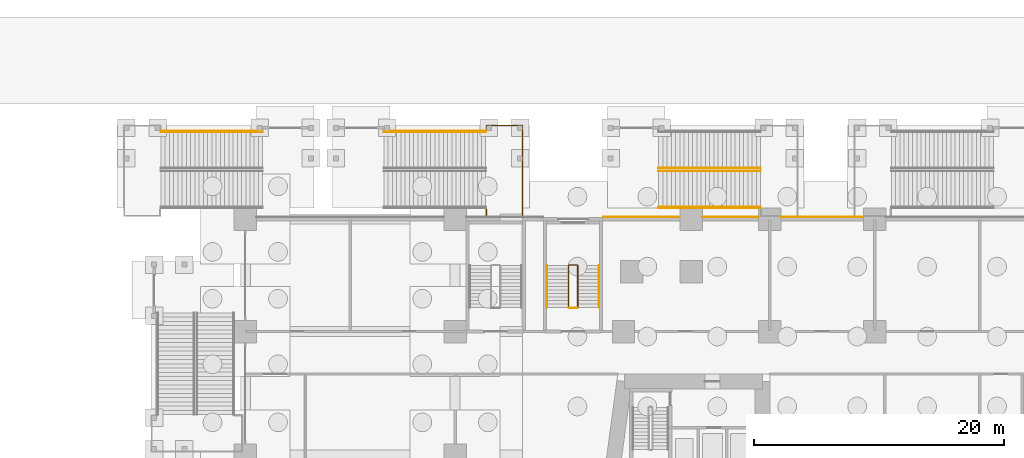
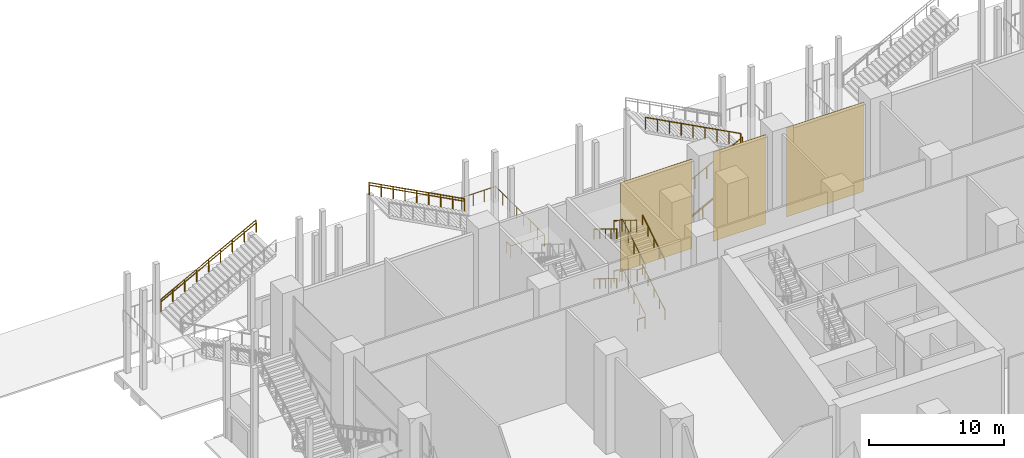
# One storey, part 68 of 72: 17 railings, 3 coverings.
"""IFC4 building model written with IfcOpenShell, lengths in metres."""

from ifc_helpers import new_model, si_unit, direction, frame, origin, origin_2d, place, context, subcontext, project, spatial, rectangle, circle, extrude, material, layer, layer_set, type_object, element, save


model = new_model("IFC4")

# Units and contexts
model_context = context("Model", 3, precision=1e-05, world=origin(), true_north=direction((0.0, 1.0)))
body_context = subcontext(model_context, "Body", "Model", "MODEL_VIEW")
ifc_project = project(units=[si_unit("LENGTHUNIT", "METRE"), si_unit("AREAUNIT", "SQUARE_METRE"), si_unit("VOLUMEUNIT", "CUBIC_METRE"), si_unit("PLANEANGLEUNIT", "RADIAN"), si_unit("MASSUNIT", "GRAM", prefix="KILO")], contexts=[model_context])

# Site, building, storey
site_placement = place(None, origin())
site = spatial("IfcSite", under=ifc_project, at=site_placement, CompositionType="ELEMENT")
building_placement = place(site_placement, origin())
building = spatial("IfcBuilding", under=site, at=building_placement, Name="Candeia Pilgrim Tower and Theatre", CompositionType="ELEMENT")
storey_placement = place(building_placement, origin())
storey = spatial("IfcBuildingStorey", under=building, at=storey_placement, Name="L00", CompositionType="ELEMENT", Elevation=0.0)

# Coverings
ifc_material_1 = material(Name="Glazed ceramic mosaic multi-colour")
ifc_layer = layer(ifc_material_1, 0.02490234375)
ifc_layer_set = layer_set([ifc_layer], Name="MS1 glazed ceramic mosaic")
covering_type = type_object("IfcCoveringType", Name="MS1 glazed ceramic mosaic", PredefinedType="CLADDING", material=ifc_layer_set)
covering_1_placement = place(storey_placement, frame((90.52490234375, 144.96240234375, 0.0), z_axis=(0.0, 0.0, 1.0), x_axis=(1.0, 0.0, 0.0)))
element("IfcCovering", 1, at=covering_1_placement, inside=storey, type_object=covering_type, Name="Mosaic panel", PredefinedType="CLADDING", context=body_context, shape_type="SweptSolid", body=[
    extrude(rectangle(XDim=6.14990234375, YDim=0.02490234375, at=origin_2d()), origin(), (0.0, 0.0, 1.0), 8.10009765625),
])
covering_2_placement = place(storey_placement, frame((97.64990234375, 144.96240234375, 0.0), z_axis=(0.0, 0.0, 1.0), x_axis=(1.0, 0.0, 0.0)))
element("IfcCovering", 2, at=covering_2_placement, inside=storey, type_object=covering_type, Name="Mosaic panel", PredefinedType="CLADDING", context=body_context, shape_type="SweptSolid", body=[
    extrude(rectangle(XDim=4.5, YDim=0.02490234375, at=origin_2d()), origin(), (0.0, 0.0, 1.0), 8.10009765625),
])
covering_3_placement = place(storey_placement, frame((105.0, 144.96240234375, 0.0), z_axis=(0.0, 0.0, 1.0), x_axis=(1.0, 0.0, 0.0)))
element("IfcCovering", 3, at=covering_3_placement, inside=storey, type_object=covering_type, Name="Mosaic panel", PredefinedType="CLADDING", context=body_context, shape_type="SweptSolid", body=[
    extrude(rectangle(XDim=6.60009765625, YDim=0.02490234375, at=origin_2d()), origin(), (0.0, 0.0, 1.0), 8.10009765625),
])

# Railings
ifc_material_2 = material(Name="Stainless steel balustrade", Category="steel")
railing_type_1 = type_object("IfcRailingType", Name="RL-GUARD-1100", PredefinedType="GUARDRAIL", material=ifc_material_2)
railing_1_placement = place(storey_placement, frame((85.425048828125, 137.72509765625, 0.173095703125)))
element("IfcRailing", 4, at=railing_1_placement, inside=storey, type_object=railing_type_1, Name="L00 PS2 stair guard 1", PredefinedType="GUARDRAIL", context=body_context, shape_type="SweptSolid", body=[
    extrude(circle(Radius=0.02392578125, at=origin_2d()), frame((0.0, 0.0, 1.076171875), z_axis=(0.0, 0.850606129759, 0.525803396734), x_axis=(-1.0, 0.0, 0.0)), (0.0, 0.0, 1.0), 3.949951171875),
    extrude(circle(Radius=0.02392578125, at=origin_2d()), frame((0.0, 3.35986328125, 3.15283203125), z_axis=(-0.707106781187, 0.707106781187, 0.0), x_axis=(-0.707106781187, -0.707106781187, 0.0)), (0.0, 0.0, 1.0), 0.07080078125),
    extrude(circle(Radius=0.02392578125, at=origin_2d()), frame((-0.050048828125, 3.409912109375, 3.15283203125), z_axis=(-1.0, 0.0, 0.0), x_axis=(0.0, -1.0, 0.0)), (0.0, 0.0, 1.0), 0.64990234375),
    extrude(circle(Radius=0.02392578125, at=origin_2d()), frame((-0.699951171875, 3.409912109375, 3.15283203125), z_axis=(-0.267629722418, -0.267629722418, 0.925607186314), x_axis=(0.707106781187, -0.707106781187, 0.0)), (0.0, 0.0, 1.0), 0.18701171875),
    extrude(circle(Radius=0.02392578125, at=origin_2d()), frame((-0.75, 3.35986328125, 3.326171875), z_axis=(0.0, -0.850606129759, 0.525803396734), x_axis=(1.0, 0.0, 0.0)), (0.0, 0.0, 1.0), 3.949951171875),
    extrude(circle(Radius=0.02099609375, at=origin_2d()), origin(), (0.0, 0.0, 1.0), 1.052001953125),
    extrude(circle(Radius=0.02099609375, at=origin_2d()), frame((0.0, 0.83984375, 0.519287109375)), (0.0, 0.0, 1.0), 1.052001953125),
    extrude(circle(Radius=0.02099609375, at=origin_2d()), frame((0.0, 1.679931640625, 1.03857421875)), (0.0, 0.0, 1.0), 1.052001953125),
    extrude(circle(Radius=0.02099609375, at=origin_2d()), frame((0.0, 2.52001953125, 1.5576171875)), (0.0, 0.0, 1.0), 1.052001953125),
    extrude(circle(Radius=0.02099609375, at=origin_2d()), frame((0.0, 3.35986328125, 2.076904296875)), (0.0, 0.0, 1.0), 1.052001953125),
    extrude(circle(Radius=0.02099609375, at=origin_2d()), frame((-0.050048828125, 3.409912109375, 2.076904296875)), (0.0, 0.0, 1.0), 1.052001953125),
    extrude(circle(Radius=0.02099609375, at=origin_2d()), frame((-0.699951171875, 3.409912109375, 2.076904296875)), (0.0, 0.0, 1.0), 1.052001953125),
    extrude(circle(Radius=0.02099609375, at=origin_2d()), frame((-0.75, 3.35986328125, 2.25)), (0.0, 0.0, 1.0), 1.052001953125),
    extrude(circle(Radius=0.02099609375, at=origin_2d()), frame((-0.75, 2.52001953125, 2.769287109375)), (0.0, 0.0, 1.0), 1.052001953125),
    extrude(circle(Radius=0.02099609375, at=origin_2d()), frame((-0.75, 1.679931640625, 3.28857421875)), (0.0, 0.0, 1.0), 1.052001953125),
    extrude(circle(Radius=0.02099609375, at=origin_2d()), frame((-0.75, 0.83984375, 3.8076171875)), (0.0, 0.0, 1.0), 1.052001953125),
    extrude(circle(Radius=0.02099609375, at=origin_2d()), frame((-0.75, 0.0, 4.326904296875)), (0.0, 0.0, 1.0), 1.052001953125),
])
railing_2_placement = place(storey_placement, frame((85.375, 137.675048828125, 4.5)))
element("IfcRailing", 5, at=railing_2_placement, inside=storey, type_object=railing_type_1, Name="L00 PS2 stair guard 2", PredefinedType="GUARDRAIL", context=body_context, shape_type="SweptSolid", body=[
    extrude(circle(Radius=0.02392578125, at=origin_2d()), frame((0.0, 0.0, 1.076171875), z_axis=(-1.0, 0.0, 0.0), x_axis=(0.0, -1.0, 0.0)), (0.0, 0.0, 1.0), 0.64990234375),
    extrude(circle(Radius=0.02099609375, at=origin_2d()), origin(), (0.0, 0.0, 1.0), 1.052001953125),
    extrude(circle(Radius=0.02099609375, at=origin_2d()), frame((-0.64990234375, 0.0, 0.0)), (0.0, 0.0, 1.0), 1.052001953125),
])
railing_3_placement = place(storey_placement, frame((85.425048828125, 137.72509765625, 4.673095703125)))
element("IfcRailing", 6, at=railing_3_placement, inside=storey, type_object=railing_type_1, Name="L00 PS2 stair guard 3", PredefinedType="GUARDRAIL", context=body_context, shape_type="SweptSolid", body=[
    extrude(circle(Radius=0.02392578125, at=origin_2d()), frame((0.0, 0.0, 1.076171875), z_axis=(0.0, 0.850606129759, 0.525803396734), x_axis=(-1.0, 0.0, 0.0)), (0.0, 0.0, 1.0), 3.949951171875),
    extrude(circle(Radius=0.02392578125, at=origin_2d()), frame((0.0, 3.35986328125, 3.15283203125), z_axis=(-0.707106781187, 0.707106781187, 0.0), x_axis=(-0.707106781187, -0.707106781187, 0.0)), (0.0, 0.0, 1.0), 0.07080078125),
    extrude(circle(Radius=0.02392578125, at=origin_2d()), frame((-0.050048828125, 3.409912109375, 3.15283203125), z_axis=(-1.0, 0.0, 0.0), x_axis=(0.0, -1.0, 0.0)), (0.0, 0.0, 1.0), 0.64990234375),
    extrude(circle(Radius=0.02392578125, at=origin_2d()), frame((-0.699951171875, 3.409912109375, 3.15283203125), z_axis=(-0.267629722418, -0.267629722418, 0.925607186314), x_axis=(0.707106781187, -0.707106781187, 0.0)), (0.0, 0.0, 1.0), 0.18701171875),
    extrude(circle(Radius=0.02392578125, at=origin_2d()), frame((-0.75, 3.35986328125, 3.326171875), z_axis=(0.0, -0.850606129759, 0.525803396734), x_axis=(1.0, 0.0, 0.0)), (0.0, 0.0, 1.0), 3.949951171875),
    extrude(circle(Radius=0.02099609375, at=origin_2d()), origin(), (0.0, 0.0, 1.0), 1.052001953125),
    extrude(circle(Radius=0.02099609375, at=origin_2d()), frame((0.0, 0.83984375, 0.519287109375)), (0.0, 0.0, 1.0), 1.052001953125),
    extrude(circle(Radius=0.02099609375, at=origin_2d()), frame((0.0, 1.679931640625, 1.03857421875)), (0.0, 0.0, 1.0), 1.052001953125),
    extrude(circle(Radius=0.02099609375, at=origin_2d()), frame((0.0, 2.52001953125, 1.5576171875)), (0.0, 0.0, 1.0), 1.052001953125),
    extrude(circle(Radius=0.02099609375, at=origin_2d()), frame((0.0, 3.35986328125, 2.076904296875)), (0.0, 0.0, 1.0), 1.052001953125),
    extrude(circle(Radius=0.02099609375, at=origin_2d()), frame((-0.050048828125, 3.409912109375, 2.076904296875)), (0.0, 0.0, 1.0), 1.052001953125),
    extrude(circle(Radius=0.02099609375, at=origin_2d()), frame((-0.699951171875, 3.409912109375, 2.076904296875)), (0.0, 0.0, 1.0), 1.052001953125),
    extrude(circle(Radius=0.02099609375, at=origin_2d()), frame((-0.75, 3.35986328125, 2.25)), (0.0, 0.0, 1.0), 1.052001953125),
    extrude(circle(Radius=0.02099609375, at=origin_2d()), frame((-0.75, 2.52001953125, 2.769287109375)), (0.0, 0.0, 1.0), 1.052001953125),
    extrude(circle(Radius=0.02099609375, at=origin_2d()), frame((-0.75, 1.679931640625, 3.28857421875)), (0.0, 0.0, 1.0), 1.052001953125),
    extrude(circle(Radius=0.02099609375, at=origin_2d()), frame((-0.75, 0.83984375, 3.8076171875)), (0.0, 0.0, 1.0), 1.052001953125),
    extrude(circle(Radius=0.02099609375, at=origin_2d()), frame((-0.75, 0.0, 4.326904296875)), (0.0, 0.0, 1.0), 1.052001953125),
])
railing_4_placement = place(storey_placement, frame((85.375, 137.675048828125, 0.0)))
element("IfcRailing", 7, at=railing_4_placement, inside=storey, type_object=railing_type_1, Name="L00 PS2 stair guard 4", PredefinedType="GUARDRAIL", context=body_context, shape_type="SweptSolid", body=[
    extrude(circle(Radius=0.02392578125, at=origin_2d()), frame((0.0, 0.0, 1.076171875), z_axis=(-1.0, 0.0, 0.0), x_axis=(0.0, -1.0, 0.0)), (0.0, 0.0, 1.0), 0.64990234375),
    extrude(circle(Radius=0.02099609375, at=origin_2d()), origin(), (0.0, 0.0, 1.0), 1.052001953125),
    extrude(circle(Radius=0.02099609375, at=origin_2d()), frame((-0.64990234375, 0.0, 0.0)), (0.0, 0.0, 1.0), 1.052001953125),
])
railing_5_placement = place(storey_placement, frame((52.0400390625, 151.85009765625, 4.679931640625)))
element("IfcRailing", 8, at=railing_5_placement, inside=storey, type_object=railing_type_1, Name="L00 ES3 stair guard 4", PredefinedType="GUARDRAIL", context=body_context, shape_type="SweptSolid", body=[
    extrude(circle(Radius=0.02392578125, at=origin_2d()), frame((0.0, 0.0, 1.076171875), z_axis=(0.883782770755, 0.0, 0.467897439742), x_axis=(0.0, 1.0, 0.0)), (0.0, 0.0, 1.0), 9.23291015625),
    extrude(circle(Radius=0.02099609375, at=origin_2d()), origin(), (0.0, 0.0, 1.0), 1.052001953125),
    extrude(circle(Radius=0.02099609375, at=origin_2d()), frame((1.02001953125, 0.0, 0.5400390625)), (0.0, 0.0, 1.0), 1.052001953125),
    extrude(circle(Radius=0.02099609375, at=origin_2d()), frame((2.0400390625, 0.0, 1.080078125)), (0.0, 0.0, 1.0), 1.052001953125),
    extrude(circle(Radius=0.02099609375, at=origin_2d()), frame((3.06005859375, 0.0, 1.6201171875)), (0.0, 0.0, 1.0), 1.052001953125),
    extrude(circle(Radius=0.02099609375, at=origin_2d()), frame((4.080078125, 0.0, 2.16015625)), (0.0, 0.0, 1.0), 1.052001953125),
    extrude(circle(Radius=0.02099609375, at=origin_2d()), frame((5.099853515625, 0.0, 2.699951171875)), (0.0, 0.0, 1.0), 1.052001953125),
    extrude(circle(Radius=0.02099609375, at=origin_2d()), frame((6.119873046875, 0.0, 3.239990234375)), (0.0, 0.0, 1.0), 1.052001953125),
    extrude(circle(Radius=0.02099609375, at=origin_2d()), frame((7.139892578125, 0.0, 3.780029296875)), (0.0, 0.0, 1.0), 1.052001953125),
    extrude(circle(Radius=0.02099609375, at=origin_2d()), frame((8.159912109375, 0.0, 4.320068359375)), (0.0, 0.0, 1.0), 1.052001953125),
])
railing_6_placement = place(storey_placement, frame((78.06005859375, 151.85009765625, 4.679931640625)))
element("IfcRailing", 9, at=railing_6_placement, inside=storey, type_object=railing_type_1, Name="L00 ES4 stair guard 4", PredefinedType="GUARDRAIL", context=body_context, shape_type="SweptSolid", body=[
    extrude(circle(Radius=0.02392578125, at=origin_2d()), frame((0.0, 0.0, 1.076171875), z_axis=(-0.883788559524, 0.0, 0.467886505528), x_axis=(0.0, -1.0, 0.0)), (0.0, 0.0, 1.0), 9.233154296875),
    extrude(circle(Radius=0.02099609375, at=origin_2d()), origin(), (0.0, 0.0, 1.0), 1.052001953125),
    extrude(circle(Radius=0.02099609375, at=origin_2d()), frame((-1.02001953125, 0.0, 0.5400390625)), (0.0, 0.0, 1.0), 1.052001953125),
    extrude(circle(Radius=0.02099609375, at=origin_2d()), frame((-2.0400390625, 0.0, 1.080078125)), (0.0, 0.0, 1.0), 1.052001953125),
    extrude(circle(Radius=0.02099609375, at=origin_2d()), frame((-3.06005859375, 0.0, 1.6201171875)), (0.0, 0.0, 1.0), 1.052001953125),
    extrude(circle(Radius=0.02099609375, at=origin_2d()), frame((-4.080078125, 0.0, 2.16015625)), (0.0, 0.0, 1.0), 1.052001953125),
    extrude(circle(Radius=0.02099609375, at=origin_2d()), frame((-5.10009765625, 0.0, 2.699951171875)), (0.0, 0.0, 1.0), 1.052001953125),
    extrude(circle(Radius=0.02099609375, at=origin_2d()), frame((-6.1201171875, 0.0, 3.239990234375)), (0.0, 0.0, 1.0), 1.052001953125),
    extrude(circle(Radius=0.02099609375, at=origin_2d()), frame((-7.14013671875, 0.0, 3.780029296875)), (0.0, 0.0, 1.0), 1.052001953125),
    extrude(circle(Radius=0.02099609375, at=origin_2d()), frame((-8.16015625, 0.0, 4.320068359375)), (0.0, 0.0, 1.0), 1.052001953125),
])
railing_7_placement = place(storey_placement, frame((78.110107421875, 145.699951171875, 4.5)))
element("IfcRailing", 10, at=railing_7_placement, inside=storey, type_object=railing_type_1, Name="L00 ES4 stair guard 5", PredefinedType="GUARDRAIL", context=body_context, shape_type="SweptSolid", body=[
    extrude(circle(Radius=0.02392578125, at=origin_2d()), frame((0.0, 0.0, 1.076171875), z_axis=(0.0, -1.0, 0.0), x_axis=(1.0, 0.0, 0.0)), (0.0, 0.0, 1.0), 0.64990234375),
    extrude(circle(Radius=0.02392578125, at=origin_2d()), frame((0.0, -0.64990234375, 1.076171875), z_axis=(1.0, 0.0, 0.0), x_axis=(0.0, 1.0, 0.0)), (0.0, 0.0, 1.0), 2.89990234375),
    extrude(circle(Radius=0.02392578125, at=origin_2d()), frame((2.89990234375, -0.64990234375, 1.076171875), z_axis=(0.0, 1.0, 0.0), x_axis=(-1.0, 0.0, 0.0)), (0.0, 0.0, 1.0), 7.25),
    extrude(circle(Radius=0.02392578125, at=origin_2d()), frame((2.89990234375, 6.60009765625, 1.076171875), z_axis=(-1.0, 0.0, 0.0), x_axis=(0.0, -1.0, 0.0)), (0.0, 0.0, 1.0), 2.89990234375),
    extrude(circle(Radius=0.02392578125, at=origin_2d()), frame((0.0, 6.60009765625, 1.076171875), z_axis=(0.0, -1.0, 0.0), x_axis=(1.0, 0.0, 0.0)), (0.0, 0.0, 1.0), 0.449951171875),
    extrude(circle(Radius=0.02099609375, at=origin_2d()), origin(), (0.0, 0.0, 1.0), 1.052001953125),
    extrude(circle(Radius=0.02099609375, at=origin_2d()), frame((0.0, -0.64990234375, 0.0)), (0.0, 0.0, 1.0), 1.052001953125),
    extrude(circle(Radius=0.02099609375, at=origin_2d()), frame((0.966552734375, -0.64990234375, 0.0)), (0.0, 0.0, 1.0), 1.052001953125),
    extrude(circle(Radius=0.02099609375, at=origin_2d()), frame((1.933349609375, -0.64990234375, 0.0)), (0.0, 0.0, 1.0), 1.052001953125),
    extrude(circle(Radius=0.02099609375, at=origin_2d()), frame((2.89990234375, -0.64990234375, 0.0)), (0.0, 0.0, 1.0), 1.052001953125),
    extrude(circle(Radius=0.02099609375, at=origin_2d()), frame((2.89990234375, 0.3857421875, 0.0)), (0.0, 0.0, 1.0), 1.052001953125),
    extrude(circle(Radius=0.02099609375, at=origin_2d()), frame((2.89990234375, 1.421630859375, 0.0)), (0.0, 0.0, 1.0), 1.052001953125),
    extrude(circle(Radius=0.02099609375, at=origin_2d()), frame((2.89990234375, 2.457275390625, 0.0)), (0.0, 0.0, 1.0), 1.052001953125),
    extrude(circle(Radius=0.02099609375, at=origin_2d()), frame((2.89990234375, 3.492919921875, 0.0)), (0.0, 0.0, 1.0), 1.052001953125),
    extrude(circle(Radius=0.02099609375, at=origin_2d()), frame((2.89990234375, 4.528564453125, 0.0)), (0.0, 0.0, 1.0), 1.052001953125),
    extrude(circle(Radius=0.02099609375, at=origin_2d()), frame((2.89990234375, 5.564453125, 0.0)), (0.0, 0.0, 1.0), 1.052001953125),
    extrude(circle(Radius=0.02099609375, at=origin_2d()), frame((2.89990234375, 6.60009765625, 0.0)), (0.0, 0.0, 1.0), 1.052001953125),
    extrude(circle(Radius=0.02099609375, at=origin_2d()), frame((1.933349609375, 6.60009765625, 0.0)), (0.0, 0.0, 1.0), 1.052001953125),
    extrude(circle(Radius=0.02099609375, at=origin_2d()), frame((0.966552734375, 6.60009765625, 0.0)), (0.0, 0.0, 1.0), 1.052001953125),
    extrude(circle(Radius=0.02099609375, at=origin_2d()), frame((0.0, 6.60009765625, 0.0)), (0.0, 0.0, 1.0), 1.052001953125),
    extrude(circle(Radius=0.02099609375, at=origin_2d()), frame((0.0, 6.150146484375, 0.0)), (0.0, 0.0, 1.0), 1.052001953125),
])
railing_8_placement = place(storey_placement, frame((91.89990234375, 148.64990234375, 0.179931640625)))
element("IfcRailing", 11, at=railing_8_placement, inside=storey, type_object=railing_type_1, Name="L00 ES5 stair guard 1", PredefinedType="GUARDRAIL", context=body_context, shape_type="SweptSolid", body=[
    extrude(circle(Radius=0.02392578125, at=origin_2d()), frame((0.0, 0.0, 1.076171875), z_axis=(0.883788559524, 0.0, 0.467886505528), x_axis=(0.0, 1.0, 0.0)), (0.0, 0.0, 1.0), 9.233154296875),
    extrude(circle(Radius=0.02099609375, at=origin_2d()), origin(), (0.0, 0.0, 1.0), 1.052001953125),
    extrude(circle(Radius=0.02099609375, at=origin_2d()), frame((1.02001953125, 0.0, 0.5400390625)), (0.0, 0.0, 1.0), 1.052001953125),
    extrude(circle(Radius=0.02099609375, at=origin_2d()), frame((2.0400390625, 0.0, 1.080078125)), (0.0, 0.0, 1.0), 1.052001953125),
    extrude(circle(Radius=0.02099609375, at=origin_2d()), frame((3.06005859375, 0.0, 1.6201171875)), (0.0, 0.0, 1.0), 1.052001953125),
    extrude(circle(Radius=0.02099609375, at=origin_2d()), frame((4.080078125, 0.0, 2.16015625)), (0.0, 0.0, 1.0), 1.052001953125),
    extrude(circle(Radius=0.02099609375, at=origin_2d()), frame((5.10009765625, 0.0, 2.699951171875)), (0.0, 0.0, 1.0), 1.052001953125),
    extrude(circle(Radius=0.02099609375, at=origin_2d()), frame((6.1201171875, 0.0, 3.239990234375)), (0.0, 0.0, 1.0), 1.052001953125),
    extrude(circle(Radius=0.02099609375, at=origin_2d()), frame((7.14013671875, 0.0, 3.780029296875)), (0.0, 0.0, 1.0), 1.052001953125),
    extrude(circle(Radius=0.02099609375, at=origin_2d()), frame((8.16015625, 0.0, 4.320068359375)), (0.0, 0.0, 1.0), 1.052001953125),
])
railing_9_placement = place(storey_placement, frame((100.06005859375, 148.89990234375, 4.679931640625)))
element("IfcRailing", 12, at=railing_9_placement, inside=storey, type_object=railing_type_1, Name="L00 ES5 stair guard 2", PredefinedType="GUARDRAIL", context=body_context, shape_type="SweptSolid", body=[
    extrude(circle(Radius=0.02392578125, at=origin_2d()), frame((0.0, 0.0, 1.076171875), z_axis=(-0.883788559524, 0.0, 0.467886505528), x_axis=(0.0, -1.0, 0.0)), (0.0, 0.0, 1.0), 9.233154296875),
    extrude(circle(Radius=0.02099609375, at=origin_2d()), origin(), (0.0, 0.0, 1.0), 1.052001953125),
    extrude(circle(Radius=0.02099609375, at=origin_2d()), frame((-1.02001953125, 0.0, 0.5400390625)), (0.0, 0.0, 1.0), 1.052001953125),
    extrude(circle(Radius=0.02099609375, at=origin_2d()), frame((-2.0400390625, 0.0, 1.080078125)), (0.0, 0.0, 1.0), 1.052001953125),
    extrude(circle(Radius=0.02099609375, at=origin_2d()), frame((-3.06005859375, 0.0, 1.6201171875)), (0.0, 0.0, 1.0), 1.052001953125),
    extrude(circle(Radius=0.02099609375, at=origin_2d()), frame((-4.080078125, 0.0, 2.16015625)), (0.0, 0.0, 1.0), 1.052001953125),
    extrude(circle(Radius=0.02099609375, at=origin_2d()), frame((-5.10009765625, 0.0, 2.699951171875)), (0.0, 0.0, 1.0), 1.052001953125),
    extrude(circle(Radius=0.02099609375, at=origin_2d()), frame((-6.1201171875, 0.0, 3.239990234375)), (0.0, 0.0, 1.0), 1.052001953125),
    extrude(circle(Radius=0.02099609375, at=origin_2d()), frame((-7.14013671875, 0.0, 3.780029296875)), (0.0, 0.0, 1.0), 1.052001953125),
    extrude(circle(Radius=0.02099609375, at=origin_2d()), frame((-8.16015625, 0.0, 4.320068359375)), (0.0, 0.0, 1.0), 1.052001953125),
])
railing_10_placement = place(storey_placement, frame((91.89990234375, 145.699951171875, 0.179931640625)))
element("IfcRailing", 13, at=railing_10_placement, inside=storey, type_object=railing_type_1, Name="L00 ES5 stair guard 3", PredefinedType="GUARDRAIL", context=body_context, shape_type="SweptSolid", body=[
    extrude(circle(Radius=0.02392578125, at=origin_2d()), frame((0.0, 0.0, 1.076171875), z_axis=(0.883788559524, 0.0, 0.467886505528), x_axis=(0.0, 1.0, 0.0)), (0.0, 0.0, 1.0), 9.233154296875),
    extrude(circle(Radius=0.02099609375, at=origin_2d()), origin(), (0.0, 0.0, 1.0), 1.052001953125),
    extrude(circle(Radius=0.02099609375, at=origin_2d()), frame((1.02001953125, 0.0, 0.5400390625)), (0.0, 0.0, 1.0), 1.052001953125),
    extrude(circle(Radius=0.02099609375, at=origin_2d()), frame((2.0400390625, 0.0, 1.080078125)), (0.0, 0.0, 1.0), 1.052001953125),
    extrude(circle(Radius=0.02099609375, at=origin_2d()), frame((3.06005859375, 0.0, 1.6201171875)), (0.0, 0.0, 1.0), 1.052001953125),
    extrude(circle(Radius=0.02099609375, at=origin_2d()), frame((4.080078125, 0.0, 2.16015625)), (0.0, 0.0, 1.0), 1.052001953125),
    extrude(circle(Radius=0.02099609375, at=origin_2d()), frame((5.10009765625, 0.0, 2.699951171875)), (0.0, 0.0, 1.0), 1.052001953125),
    extrude(circle(Radius=0.02099609375, at=origin_2d()), frame((6.1201171875, 0.0, 3.239990234375)), (0.0, 0.0, 1.0), 1.052001953125),
    extrude(circle(Radius=0.02099609375, at=origin_2d()), frame((7.14013671875, 0.0, 3.780029296875)), (0.0, 0.0, 1.0), 1.052001953125),
    extrude(circle(Radius=0.02099609375, at=origin_2d()), frame((8.16015625, 0.0, 4.320068359375)), (0.0, 0.0, 1.0), 1.052001953125),
])
ifc_material_3 = material(Name="Stainless steel handrail", Category="steel")
railing_type_2 = type_object("IfcRailingType", Name="RL-HANDRAIL-900", PredefinedType="HANDRAIL", material=ifc_material_3)
railing_11_placement = place(storey_placement, frame((87.125, 137.72509765625, 0.173095703125)))
element("IfcRailing", 14, at=railing_11_placement, inside=storey, type_object=railing_type_2, Name="L00 PS2 stair handrail 1", PredefinedType="HANDRAIL", context=body_context, shape_type="SweptSolid", body=[
    extrude(circle(Radius=0.02392578125, at=origin_2d()), frame((0.0, 0.0, 0.8759765625), z_axis=(0.0, 0.850606129759, 0.525803396734), x_axis=(-1.0, 0.0, 0.0)), (0.0, 0.0, 1.0), 3.949951171875),
    extrude(circle(Radius=0.02099609375, at=origin_2d()), origin(), (0.0, 0.0, 1.0), 0.851806640625),
    extrude(circle(Radius=0.02099609375, at=origin_2d()), frame((0.0, 0.83984375, 0.519287109375)), (0.0, 0.0, 1.0), 0.851806640625),
    extrude(circle(Radius=0.02099609375, at=origin_2d()), frame((0.0, 1.679931640625, 1.03857421875)), (0.0, 0.0, 1.0), 0.851806640625),
    extrude(circle(Radius=0.02099609375, at=origin_2d()), frame((0.0, 2.52001953125, 1.5576171875)), (0.0, 0.0, 1.0), 0.851806640625),
    extrude(circle(Radius=0.02099609375, at=origin_2d()), frame((0.0, 3.35986328125, 2.076904296875)), (0.0, 0.0, 1.0), 0.851806640625),
])
railing_12_placement = place(storey_placement, frame((82.97509765625, 141.0849609375, 2.423095703125)))
element("IfcRailing", 15, at=railing_12_placement, inside=storey, type_object=railing_type_2, Name="L00 PS2 stair handrail 2", PredefinedType="HANDRAIL", context=body_context, shape_type="SweptSolid", body=[
    extrude(circle(Radius=0.02392578125, at=origin_2d()), frame((0.0, 0.0, 0.8759765625), z_axis=(0.0, -0.850606129759, 0.525803396734), x_axis=(1.0, 0.0, 0.0)), (0.0, 0.0, 1.0), 3.949951171875),
    extrude(circle(Radius=0.02099609375, at=origin_2d()), origin(), (0.0, 0.0, 1.0), 0.851806640625),
    extrude(circle(Radius=0.02099609375, at=origin_2d()), frame((0.0, -0.83984375, 0.519287109375)), (0.0, 0.0, 1.0), 0.851806640625),
    extrude(circle(Radius=0.02099609375, at=origin_2d()), frame((0.0, -1.679931640625, 1.03857421875)), (0.0, 0.0, 1.0), 0.851806640625),
    extrude(circle(Radius=0.02099609375, at=origin_2d()), frame((0.0, -2.52001953125, 1.5576171875)), (0.0, 0.0, 1.0), 0.851806640625),
    extrude(circle(Radius=0.02099609375, at=origin_2d()), frame((0.0, -3.35986328125, 2.076904296875)), (0.0, 0.0, 1.0), 0.851806640625),
])
railing_13_placement = place(storey_placement, frame((87.125, 137.72509765625, 4.673095703125)))
element("IfcRailing", 16, at=railing_13_placement, inside=storey, type_object=railing_type_2, Name="L00 PS2 stair handrail 3", PredefinedType="HANDRAIL", context=body_context, shape_type="SweptSolid", body=[
    extrude(circle(Radius=0.02392578125, at=origin_2d()), frame((0.0, 0.0, 0.8759765625), z_axis=(0.0, 0.850606129759, 0.525803396734), x_axis=(-1.0, 0.0, 0.0)), (0.0, 0.0, 1.0), 3.949951171875),
    extrude(circle(Radius=0.02099609375, at=origin_2d()), origin(), (0.0, 0.0, 1.0), 0.851806640625),
    extrude(circle(Radius=0.02099609375, at=origin_2d()), frame((0.0, 0.83984375, 0.519287109375)), (0.0, 0.0, 1.0), 0.851806640625),
    extrude(circle(Radius=0.02099609375, at=origin_2d()), frame((0.0, 1.679931640625, 1.03857421875)), (0.0, 0.0, 1.0), 0.851806640625),
    extrude(circle(Radius=0.02099609375, at=origin_2d()), frame((0.0, 2.52001953125, 1.5576171875)), (0.0, 0.0, 1.0), 0.851806640625),
    extrude(circle(Radius=0.02099609375, at=origin_2d()), frame((0.0, 3.35986328125, 2.076904296875)), (0.0, 0.0, 1.0), 0.851806640625),
])
railing_14_placement = place(storey_placement, frame((82.97509765625, 141.0849609375, 6.923095703125)))
element("IfcRailing", 17, at=railing_14_placement, inside=storey, type_object=railing_type_2, Name="L00 PS2 stair handrail 4", PredefinedType="HANDRAIL", context=body_context, shape_type="SweptSolid", body=[
    extrude(circle(Radius=0.02392578125, at=origin_2d()), frame((0.0, 0.0, 0.8759765625), z_axis=(0.0, -0.850606129759, 0.525803396734), x_axis=(1.0, 0.0, 0.0)), (0.0, 0.0, 1.0), 3.949951171875),
    extrude(circle(Radius=0.02099609375, at=origin_2d()), origin(), (0.0, 0.0, 1.0), 0.851806640625),
    extrude(circle(Radius=0.02099609375, at=origin_2d()), frame((0.0, -0.83984375, 0.519287109375)), (0.0, 0.0, 1.0), 0.851806640625),
    extrude(circle(Radius=0.02099609375, at=origin_2d()), frame((0.0, -1.679931640625, 1.03857421875)), (0.0, 0.0, 1.0), 0.851806640625),
    extrude(circle(Radius=0.02099609375, at=origin_2d()), frame((0.0, -2.52001953125, 1.5576171875)), (0.0, 0.0, 1.0), 0.851806640625),
    extrude(circle(Radius=0.02099609375, at=origin_2d()), frame((0.0, -3.35986328125, 2.076904296875)), (0.0, 0.0, 1.0), 0.851806640625),
])
railing_15_placement = place(storey_placement, frame((52.0400390625, 151.800048828125, 4.679931640625)))
element("IfcRailing", 18, at=railing_15_placement, inside=storey, type_object=railing_type_2, Name="L00 ES3 stair handrail 2", PredefinedType="HANDRAIL", context=body_context, shape_type="SweptSolid", body=[
    extrude(circle(Radius=0.02392578125, at=origin_2d()), frame((0.0, 0.0, 0.8759765625), z_axis=(0.883782770755, 0.0, 0.467897439742), x_axis=(0.0, 1.0, 0.0)), (0.0, 0.0, 1.0), 9.23291015625),
    extrude(circle(Radius=0.02099609375, at=origin_2d()), origin(), (0.0, 0.0, 1.0), 0.851806640625),
    extrude(circle(Radius=0.02099609375, at=origin_2d()), frame((1.02001953125, 0.0, 0.5400390625)), (0.0, 0.0, 1.0), 0.851806640625),
    extrude(circle(Radius=0.02099609375, at=origin_2d()), frame((2.0400390625, 0.0, 1.080078125)), (0.0, 0.0, 1.0), 0.851806640625),
    extrude(circle(Radius=0.02099609375, at=origin_2d()), frame((3.06005859375, 0.0, 1.6201171875)), (0.0, 0.0, 1.0), 0.851806640625),
    extrude(circle(Radius=0.02099609375, at=origin_2d()), frame((4.080078125, 0.0, 2.16015625)), (0.0, 0.0, 1.0), 0.851806640625),
    extrude(circle(Radius=0.02099609375, at=origin_2d()), frame((5.099853515625, 0.0, 2.699951171875)), (0.0, 0.0, 1.0), 0.851806640625),
    extrude(circle(Radius=0.02099609375, at=origin_2d()), frame((6.119873046875, 0.0, 3.239990234375)), (0.0, 0.0, 1.0), 0.851806640625),
    extrude(circle(Radius=0.02099609375, at=origin_2d()), frame((7.139892578125, 0.0, 3.780029296875)), (0.0, 0.0, 1.0), 0.851806640625),
    extrude(circle(Radius=0.02099609375, at=origin_2d()), frame((8.159912109375, 0.0, 4.320068359375)), (0.0, 0.0, 1.0), 0.851806640625),
])
railing_16_placement = place(storey_placement, frame((78.06005859375, 151.800048828125, 4.679931640625)))
element("IfcRailing", 19, at=railing_16_placement, inside=storey, type_object=railing_type_2, Name="L00 ES4 stair handrail 2", PredefinedType="HANDRAIL", context=body_context, shape_type="SweptSolid", body=[
    extrude(circle(Radius=0.02392578125, at=origin_2d()), frame((0.0, 0.0, 0.8759765625), z_axis=(-0.883788559524, 0.0, 0.467886505528), x_axis=(0.0, -1.0, 0.0)), (0.0, 0.0, 1.0), 9.233154296875),
    extrude(circle(Radius=0.02099609375, at=origin_2d()), origin(), (0.0, 0.0, 1.0), 0.851806640625),
    extrude(circle(Radius=0.02099609375, at=origin_2d()), frame((-1.02001953125, 0.0, 0.5400390625)), (0.0, 0.0, 1.0), 0.851806640625),
    extrude(circle(Radius=0.02099609375, at=origin_2d()), frame((-2.0400390625, 0.0, 1.080078125)), (0.0, 0.0, 1.0), 0.851806640625),
    extrude(circle(Radius=0.02099609375, at=origin_2d()), frame((-3.06005859375, 0.0, 1.6201171875)), (0.0, 0.0, 1.0), 0.851806640625),
    extrude(circle(Radius=0.02099609375, at=origin_2d()), frame((-4.080078125, 0.0, 2.16015625)), (0.0, 0.0, 1.0), 0.851806640625),
    extrude(circle(Radius=0.02099609375, at=origin_2d()), frame((-5.10009765625, 0.0, 2.699951171875)), (0.0, 0.0, 1.0), 0.851806640625),
    extrude(circle(Radius=0.02099609375, at=origin_2d()), frame((-6.1201171875, 0.0, 3.239990234375)), (0.0, 0.0, 1.0), 0.851806640625),
    extrude(circle(Radius=0.02099609375, at=origin_2d()), frame((-7.14013671875, 0.0, 3.780029296875)), (0.0, 0.0, 1.0), 0.851806640625),
    extrude(circle(Radius=0.02099609375, at=origin_2d()), frame((-8.16015625, 0.0, 4.320068359375)), (0.0, 0.0, 1.0), 0.851806640625),
])
railing_17_placement = place(storey_placement, frame((91.89990234375, 145.75, 0.179931640625)))
element("IfcRailing", 20, at=railing_17_placement, inside=storey, type_object=railing_type_2, Name="L00 ES5 stair handrail 1", PredefinedType="HANDRAIL", context=body_context, shape_type="SweptSolid", body=[
    extrude(circle(Radius=0.02392578125, at=origin_2d()), frame((0.0, 0.0, 0.8759765625), z_axis=(0.883788559524, 0.0, 0.467886505528), x_axis=(0.0, 1.0, 0.0)), (0.0, 0.0, 1.0), 9.233154296875),
    extrude(circle(Radius=0.02099609375, at=origin_2d()), origin(), (0.0, 0.0, 1.0), 0.851806640625),
    extrude(circle(Radius=0.02099609375, at=origin_2d()), frame((1.02001953125, 0.0, 0.5400390625)), (0.0, 0.0, 1.0), 0.851806640625),
    extrude(circle(Radius=0.02099609375, at=origin_2d()), frame((2.0400390625, 0.0, 1.080078125)), (0.0, 0.0, 1.0), 0.851806640625),
    extrude(circle(Radius=0.02099609375, at=origin_2d()), frame((3.06005859375, 0.0, 1.6201171875)), (0.0, 0.0, 1.0), 0.851806640625),
    extrude(circle(Radius=0.02099609375, at=origin_2d()), frame((4.080078125, 0.0, 2.16015625)), (0.0, 0.0, 1.0), 0.851806640625),
    extrude(circle(Radius=0.02099609375, at=origin_2d()), frame((5.10009765625, 0.0, 2.699951171875)), (0.0, 0.0, 1.0), 0.851806640625),
    extrude(circle(Radius=0.02099609375, at=origin_2d()), frame((6.1201171875, 0.0, 3.239990234375)), (0.0, 0.0, 1.0), 0.851806640625),
    extrude(circle(Radius=0.02099609375, at=origin_2d()), frame((7.14013671875, 0.0, 3.780029296875)), (0.0, 0.0, 1.0), 0.851806640625),
    extrude(circle(Radius=0.02099609375, at=origin_2d()), frame((8.16015625, 0.0, 4.320068359375)), (0.0, 0.0, 1.0), 0.851806640625),
])

save(model, "model.ifc")
